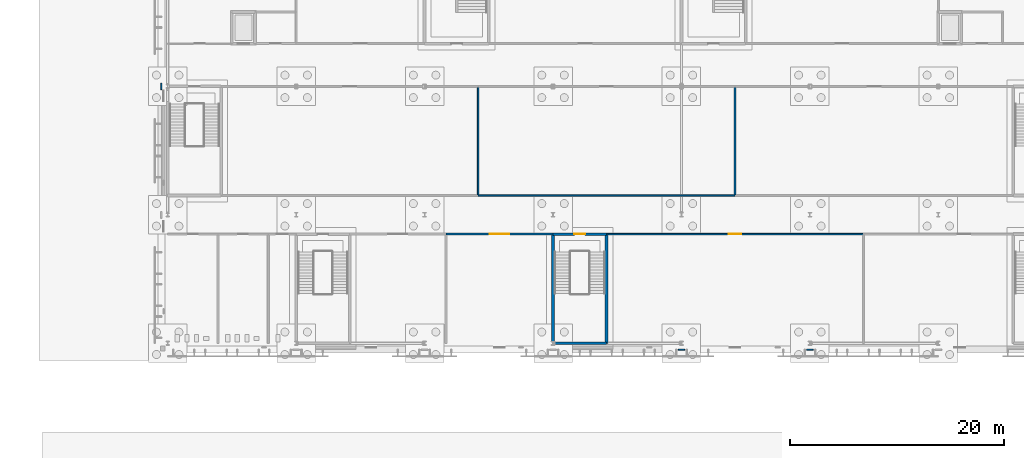
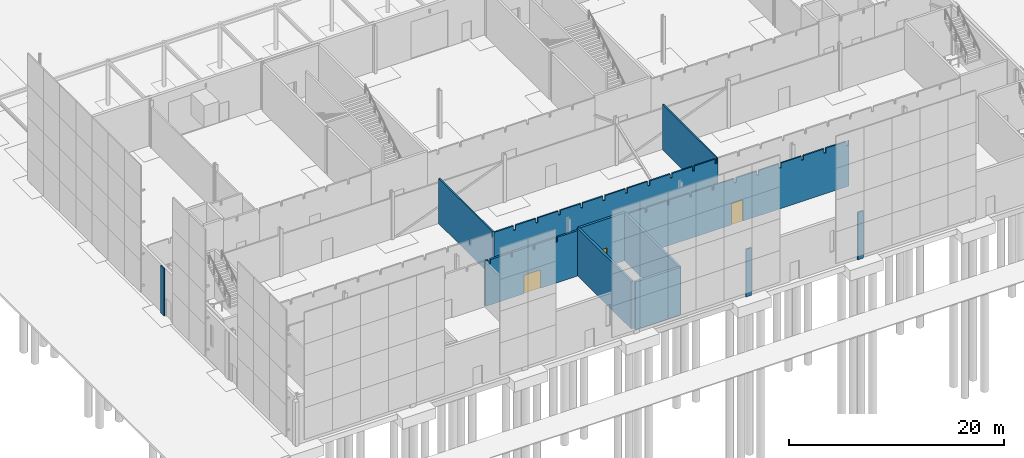
# One storey, part 65 of 132: 12 walls, 3 doors, 3 openings.
"""IFC4 building model written with IfcOpenShell, lengths in metres."""

from ifc_helpers import new_model, si_unit, direction, frame, frame_2d, origin, place, context, subcontext, project, spatial, polyline, rectangle, outline, extrude, material, layer, layer_set, type_object, element, fill, save


model = new_model("IFC4")

# Units and contexts
model_context = context("Model", 3, precision=1e-05, world=origin(), true_north=direction((0.0, 1.0)))
body_context = subcontext(model_context, "Body", "Model", "MODEL_VIEW")
ifc_project = project(units=[si_unit("LENGTHUNIT", "METRE"), si_unit("AREAUNIT", "SQUARE_METRE"), si_unit("VOLUMEUNIT", "CUBIC_METRE"), si_unit("PLANEANGLEUNIT", "RADIAN"), si_unit("MASSUNIT", "GRAM", prefix="KILO")], contexts=[model_context])

# Site, building, storey
site_placement = place(None, origin())
site = spatial("IfcSite", under=ifc_project, at=site_placement, CompositionType="ELEMENT")
building_placement = place(site_placement, origin())
building = spatial("IfcBuilding", under=site, at=building_placement, Name="Ravi Spectrum Wholesale Market", CompositionType="ELEMENT")
storey_placement = place(building_placement, origin())
storey = spatial("IfcBuildingStorey", under=building, at=storey_placement, Name="L00", CompositionType="ELEMENT", Elevation=0.0)

# Wall, opening, door
ifc_material_1 = material(Name="Concrete blockwork", Category="masonry")
ifc_layer_1 = layer(ifc_material_1, 0.199951171875)
ifc_layer_set_1 = layer_set([ifc_layer_1], Name="Concrete blockwork")
wall_type_1 = type_object("IfcWallType", Name="Blockwork partition 200 fire", PredefinedType="PARTITIONING", material=ifc_layer_set_1)
wall_1_placement = place(storey_placement, frame((224.0, 28.199951171875, 0.0), z_axis=(0.0, 0.0, 1.0), x_axis=(1.0, 0.0, 0.0)))
wall_1 = element("IfcWall", 1, at=wall_1_placement, inside=storey, type_object=wall_type_1, Name="CS-WL-L00-069", PredefinedType="PARTITIONING", context=body_context, shape_type="SweptSolid", body=[
    extrude(outline(polyline([(0.0, 0.0), (10.0, 0.0), (10.0, 5.14990234375), (7.705078125, 5.14990234375), (7.699951171875, 4.6298828125), (7.5, 4.6298828125), (7.4951171875, 5.14990234375), (5.304931640625, 5.14990234375), (5.300048828125, 4.6298828125), (5.10009765625, 4.6298828125), (5.094970703125, 5.14990234375), (2.905029296875, 5.14990234375), (2.89990234375, 4.6298828125), (2.699951171875, 4.6298828125), (2.695068359375, 5.14990234375), (0.5048828125, 5.14990234375), (0.5, 4.6298828125), (0.300048828125, 4.6298828125), (0.294921875, 5.14990234375), (0.0, 5.14990234375), (0.0, 0.0)])), frame((0.0, 0.10009765625, 0.0), z_axis=(0.0, -1.0, 0.0), x_axis=(1.0, 0.0, 0.0)), (0.0, 0.0, 1.0), 0.199951171875),
])
opening_1_placement = place(wall_1_placement, frame((4.10009765625, 0.0, 0.0)))
opening_1 = element("IfcOpeningElement", 2, at=opening_1_placement, cuts=wall_1, Name="Opening D463", PredefinedType="OPENING", context=body_context, shape_type="SweptSolid", body=[
    extrude(rectangle(XDim=1.800048828125, YDim=2.10009765625, at=frame_2d((0.89990234375, 1.050048828125))), frame((0.0, 0.10986328125, 0.0), z_axis=(0.0, -1.0, 0.0), x_axis=(1.0, 0.0, 0.0)), (0.0, 0.0, 1.0), 0.219970703125),
])
ifc_material_2 = material(Name="Steel door", Category="steel")
door_type_1 = type_object("IfcDoorType", Name="Double leaf door 1800 x 2100", OperationType="DOUBLE_DOOR_SINGLE_SWING", PredefinedType="DOOR", material=ifc_material_2)
door_1_placement = place(opening_1_placement, origin())
door_1 = element("IfcDoor", 3, at=door_1_placement, inside=storey, type_object=door_type_1, Name="Door D463", OperationType="DOUBLE_DOOR_SINGLE_SWING", OverallHeight=2.10009765625, OverallWidth=1.800048828125, PredefinedType="DOOR", context=body_context, shape_type="SweptSolid", body=[
    extrude(rectangle(XDim=1.800048828125, YDim=2.10009765625, at=frame_2d((0.89990234375, 1.050048828125))), frame((0.0, 0.02490234375, 0.0), z_axis=(0.0, -1.0, 0.0), x_axis=(1.0, 0.0, 0.0)), (0.0, 0.0, 1.0), 0.050048828125),
])
fill(opening_1, door_1)

# Walls
ifc_material_3 = material(Name="Facing brickwork", Category="masonry")
ifc_layer_2 = layer(ifc_material_3, 0.114990234375)
ifc_layer_set_2 = layer_set([ifc_layer_2], Name="Facing brickwork")
wall_type_2 = type_object("IfcWallType", Name="Brick pilaster 115", PredefinedType="SOLIDWALL", material=ifc_layer_set_2)
for number, where, z_axis, x_axis, name in (
    (4, (245.699951171875, 17.392578125, 0.0), (0.0, 0.0, 1.0), (1.0, 0.0, 0.0), "CS-WL-L00-039"),
    (5, (257.699951171875, 17.392578125, 0.0), (0.0, 0.0, 1.0), (1.0, 0.0, 0.0), "CS-WL-L00-040"),
    (6, (197.392578125, 42.300048828125, 0.0), (0.0, 0.0, 1.0), (0.0, -1.0, 0.0), "CS-WL-L00-061"),
):
    element("IfcWall", number, at=place(storey_placement, frame(where, z_axis=z_axis, x_axis=x_axis)), inside=storey, type_object=wall_type_2, Name=name, PredefinedType="SOLIDWALL", context=body_context, shape_type="SweptSolid", body=[
        extrude(rectangle(XDim=0.60009765625, YDim=0.114990234375, at=frame_2d((0.300048828125, 0.0))), origin(), (0.0, 0.0, 1.0), 5.39990234375),
    ])

# Wall, opening, door
ifc_material_4 = material(Name="Insulated panel")
ifc_layer_3 = layer(ifc_material_4, 0.14990234375)
ifc_layer_set_3 = layer_set([ifc_layer_3], Name="Insulated panel")
wall_type_3 = type_object("IfcWallType", Name="Cold store panel 150", PredefinedType="PARTITIONING", material=ifc_layer_set_3)
wall_2_placement = place(storey_placement, frame((239.0, 28.199951171875, 0.0), z_axis=(0.0, 0.0, 1.0), x_axis=(1.0, 0.0, 0.0)))
wall_2 = element("IfcWall", 7, at=wall_2_placement, inside=storey, type_object=wall_type_3, Name="CS-WL-L00-070", PredefinedType="PARTITIONING", context=body_context, shape_type="SweptSolid", body=[
    extrude(outline(polyline([(0.0, 0.0), (24.0, 0.0), (24.0, 5.14990234375), (23.905029296875, 5.14990234375), (23.89990234375, 4.6298828125), (23.699951171875, 4.6298828125), (23.695068359375, 5.14990234375), (21.5048828125, 5.14990234375), (21.5, 4.6298828125), (21.300048828125, 4.6298828125), (21.294921875, 5.14990234375), (19.10009765625, 5.14990234375), (19.094970703125, 4.679931640625), (18.905029296875, 4.679931640625), (18.89990234375, 5.14990234375), (16.705078125, 5.14990234375), (16.699951171875, 4.6298828125), (16.5, 4.6298828125), (16.4951171875, 5.14990234375), (14.304931640625, 5.14990234375), (14.300048828125, 4.6298828125), (14.10009765625, 4.6298828125), (14.094970703125, 5.14990234375), (11.905029296875, 5.14990234375), (11.89990234375, 4.6298828125), (11.699951171875, 4.6298828125), (11.695068359375, 5.14990234375), (9.5048828125, 5.14990234375), (9.5, 4.6298828125), (9.300048828125, 4.6298828125), (9.294921875, 5.14990234375), (7.10009765625, 5.14990234375), (7.094970703125, 4.679931640625), (6.905029296875, 4.679931640625), (6.89990234375, 5.14990234375), (4.705078125, 5.14990234375), (4.699951171875, 4.6298828125), (4.5, 4.6298828125), (4.4951171875, 5.14990234375), (2.304931640625, 5.14990234375), (2.300048828125, 4.6298828125), (2.10009765625, 4.6298828125), (2.094970703125, 5.14990234375), (0.0, 5.14990234375), (0.0, 0.0)])), frame((0.0, 0.074951171875, 0.0), z_axis=(0.0, -1.0, 0.0), x_axis=(1.0, 0.0, 0.0)), (0.0, 0.0, 1.0), 0.14990234375),
])
opening_2_placement = place(wall_2_placement, frame((11.39990234375, 0.0, 0.0)))
opening_2 = element("IfcOpeningElement", 8, at=opening_2_placement, cuts=wall_2, Name="Opening D464", PredefinedType="OPENING", context=body_context, shape_type="SweptSolid", body=[
    extrude(rectangle(XDim=1.199951171875, YDim=2.39990234375, at=frame_2d((0.60009765625, 1.199951171875))), frame((0.0, 0.0849609375, 0.0), z_axis=(0.0, -1.0, 0.0), x_axis=(1.0, 0.0, 0.0)), (0.0, 0.0, 1.0), 0.169921875),
])
ifc_material_5 = material(Name="Insulated panel door")
door_type_2 = type_object("IfcDoorType", Name="Cold store insulated door 1200 x 2400", OperationType="SINGLE_SWING_LEFT", PredefinedType="DOOR", material=ifc_material_5)
door_2_placement = place(opening_2_placement, origin())
door_2 = element("IfcDoor", 9, at=door_2_placement, inside=storey, type_object=door_type_2, Name="Door D464", OperationType="SINGLE_SWING_RIGHT", OverallHeight=2.39990234375, OverallWidth=1.199951171875, PredefinedType="DOOR", context=body_context, shape_type="SweptSolid", body=[
    extrude(rectangle(XDim=1.199951171875, YDim=2.39990234375, at=frame_2d((0.60009765625, 1.199951171875))), frame((0.0, 0.02490234375, 0.0), z_axis=(0.0, -1.0, 0.0), x_axis=(1.0, 0.0, 0.0)), (0.0, 0.0, 1.0), 0.050048828125),
])
fill(opening_2, door_2)

# Walls
wall_3_placement = place(storey_placement, frame((227.0, 31.800048828125, 0.0), z_axis=(0.0, 0.0, 1.0), x_axis=(1.0, 0.0, 0.0)))
element("IfcWall", 10, at=wall_3_placement, inside=storey, type_object=wall_type_3, Name="CS-WL-L00-073", PredefinedType="PARTITIONING", context=body_context, shape_type="SweptSolid", body=[
    extrude(outline(polyline([(0.0, 0.0), (24.0, 0.0), (24.0, 5.14990234375), (23.905029296875, 5.14990234375), (23.89990234375, 4.6298828125), (23.699951171875, 4.6298828125), (23.695068359375, 5.14990234375), (21.5048828125, 5.14990234375), (21.5, 4.6298828125), (21.300048828125, 4.6298828125), (21.294921875, 5.14990234375), (19.10009765625, 5.14990234375), (19.094970703125, 4.679931640625), (18.905029296875, 4.679931640625), (18.89990234375, 5.14990234375), (16.705078125, 5.14990234375), (16.699951171875, 4.6298828125), (16.5, 4.6298828125), (16.4951171875, 5.14990234375), (14.304931640625, 5.14990234375), (14.300048828125, 4.6298828125), (14.10009765625, 4.6298828125), (14.094970703125, 5.14990234375), (11.905029296875, 5.14990234375), (11.89990234375, 4.6298828125), (11.699951171875, 4.6298828125), (11.695068359375, 5.14990234375), (9.5048828125, 5.14990234375), (9.5, 4.6298828125), (9.300048828125, 4.6298828125), (9.294921875, 5.14990234375), (7.10009765625, 5.14990234375), (7.094970703125, 4.679931640625), (6.905029296875, 4.679931640625), (6.89990234375, 5.14990234375), (4.705078125, 5.14990234375), (4.699951171875, 4.6298828125), (4.5, 4.6298828125), (4.4951171875, 5.14990234375), (2.304931640625, 5.14990234375), (2.300048828125, 4.6298828125), (2.10009765625, 4.6298828125), (2.094970703125, 5.14990234375), (0.0, 5.14990234375), (0.0, 0.0)])), frame((0.0, 0.074951171875, 0.0), z_axis=(0.0, -1.0, 0.0), x_axis=(1.0, 0.0, 0.0)), (0.0, 0.0, 1.0), 0.14990234375),
])
for number, where, z_axis, x_axis, name in (
    (11, (227.0, 31.875, 0.0), (0.0, 0.0, 1.0), (0.0, 1.0, 0.0), "CS-WL-L00-099"),
    (12, (251.0, 31.875, 0.0), (0.0, 0.0, 1.0), (0.0, 1.0, 0.0), "CS-WL-L00-100"),
):
    element("IfcWall", number, at=place(storey_placement, frame(where, z_axis=z_axis, x_axis=x_axis)), inside=storey, type_object=wall_type_3, Name=name, PredefinedType="PARTITIONING", context=body_context, shape_type="SweptSolid", body=[
        extrude(outline(polyline([(0.0, 0.0), (10.050048828125, 0.0), (10.050048828125, 4.6298828125), (10.02490234375, 4.6298828125), (10.02001953125, 5.14990234375), (0.0, 5.14990234375), (0.0, 0.0)])), frame((0.0, 0.074951171875, 0.0), z_axis=(0.0, -1.0, 0.0), x_axis=(1.0, 0.0, 0.0)), (0.0, 0.0, 1.0), 0.14990234375),
    ])
ifc_material_6 = material(Name="Concrete C35/45", Category="concrete")
ifc_layer_4 = layer(ifc_material_6, 0.25)
ifc_layer_set_4 = layer_set([ifc_layer_4], Name="Concrete C35/45")
wall_type_4 = type_object("IfcWallType", Name="Concrete core wall 250", PredefinedType="SHEAR", material=ifc_layer_set_4)
wall_4_placement = place(storey_placement, frame((234.14990234375, 18.0, 0.0), z_axis=(0.0, 0.0, 1.0), x_axis=(1.0, 0.0, 0.0)))
element("IfcWall", 13, at=wall_4_placement, inside=storey, type_object=wall_type_4, Name="Stair core wall Stair S-CS-4", PredefinedType="SHEAR", context=body_context, shape_type="SweptSolid", body=[
    extrude(rectangle(XDim=4.85009765625, YDim=0.25, at=frame_2d((2.425048828125, 0.0))), origin(), (0.0, 0.0, 1.0), 5.39990234375),
])
wall_5_placement = place(storey_placement, frame((239.0, 18.0, 0.0), z_axis=(0.0, 0.0, 1.0), x_axis=(0.0, 1.0, 0.0)))
element("IfcWall", 14, at=wall_5_placement, inside=storey, type_object=wall_type_4, Name="Stair core wall Stair S-CS-4", PredefinedType="SHEAR", context=body_context, shape_type="SweptSolid", body=[
    extrude(rectangle(XDim=10.199951171875, YDim=0.25, at=frame_2d((5.10009765625, 0.0))), origin(), (0.0, 0.0, 1.0), 5.39990234375),
])

# Wall, opening, door
wall_6_placement = place(storey_placement, frame((234.0, 28.199951171875, 0.0), z_axis=(0.0, 0.0, 1.0), x_axis=(1.0, 0.0, 0.0)))
wall_6 = element("IfcWall", 15, at=wall_6_placement, inside=storey, type_object=wall_type_4, Name="Stair core wall Stair S-CS-4", PredefinedType="SHEAR", context=body_context, shape_type="SweptSolid", body=[
    extrude(rectangle(XDim=5.0, YDim=0.25, at=frame_2d((2.5, 0.0))), origin(), (0.0, 0.0, 1.0), 5.39990234375),
])
opening_3_placement = place(wall_6_placement, frame((2.0, 0.0, 0.0)))
opening_3 = element("IfcOpeningElement", 16, at=opening_3_placement, cuts=wall_6, Name="Opening D454", PredefinedType="OPENING", context=body_context, shape_type="SweptSolid", body=[
    extrude(rectangle(XDim=1.0, YDim=2.10009765625, at=frame_2d((0.5, 1.050048828125))), frame((0.0, 0.135009765625, 0.0), z_axis=(0.0, -1.0, 0.0), x_axis=(1.0, 0.0, 0.0)), (0.0, 0.0, 1.0), 0.27001953125),
])
ifc_material_7 = material(Name="Steel door", Category="steel")
door_type_3 = type_object("IfcDoorType", Name="Stair door 1000 x 2100", OperationType="SINGLE_SWING_LEFT", PredefinedType="DOOR", material=ifc_material_7)
door_3_placement = place(opening_3_placement, origin())
door_3 = element("IfcDoor", 17, at=door_3_placement, inside=storey, type_object=door_type_3, Name="Door D454", OperationType="SINGLE_SWING_RIGHT", OverallHeight=2.10009765625, OverallWidth=1.0, PredefinedType="DOOR", context=body_context, shape_type="SweptSolid", body=[
    extrude(rectangle(XDim=1.0, YDim=2.10009765625, at=frame_2d((0.5, 1.050048828125))), frame((0.0, 0.02490234375, 0.0), z_axis=(0.0, -1.0, 0.0), x_axis=(1.0, 0.0, 0.0)), (0.0, 0.0, 1.0), 0.050048828125),
])
fill(opening_3, door_3)

# Wall
wall_7_placement = place(storey_placement, frame((234.0, 18.169921875, 0.0), z_axis=(0.0, 0.0, 1.0), x_axis=(0.0, 1.0, 0.0)))
element("IfcWall", 18, at=wall_7_placement, inside=storey, type_object=wall_type_4, Name="Stair core wall Stair S-CS-4", PredefinedType="SHEAR", context=body_context, shape_type="SweptSolid", body=[
    extrude(rectangle(XDim=10.030029296875, YDim=0.25, at=frame_2d((5.01513671875, 0.0))), origin(), (0.0, 0.0, 1.0), 5.39990234375),
])

save(model, "model.ifc")
